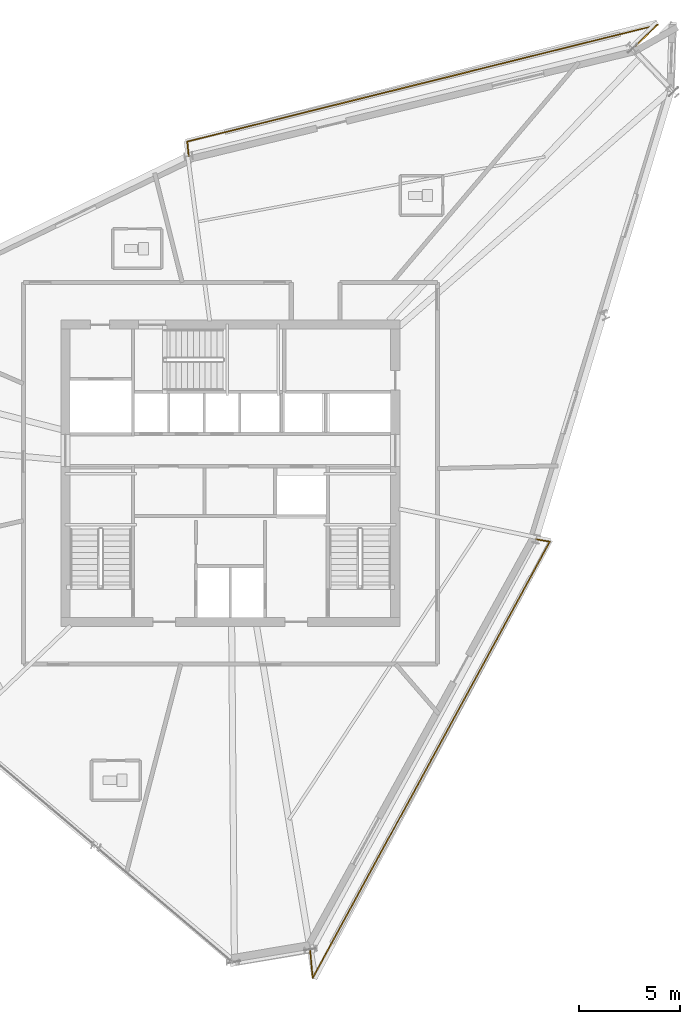
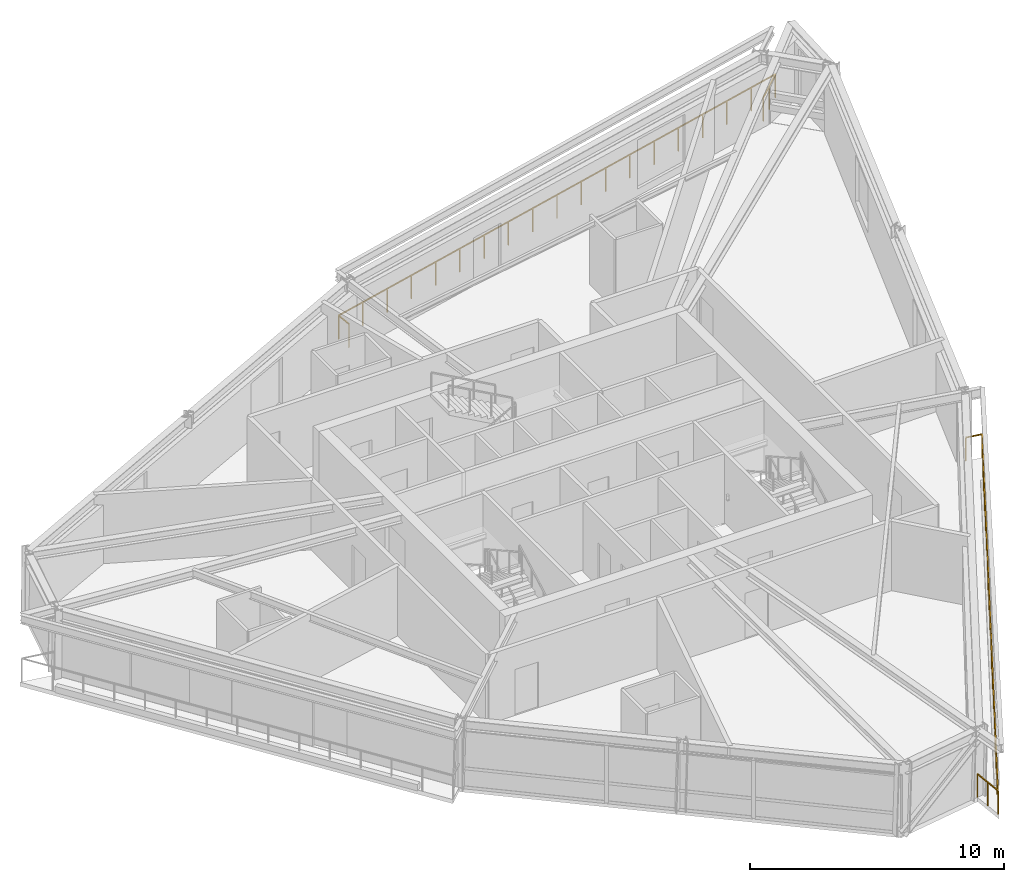
# One storey, part 14 of 15: 2 railings.
"""IFC4 building model written with IfcOpenShell, lengths in metres."""

import ifcopenshell
import ifcopenshell.guid

model = None  # the IFC model being written
_history = None  # IfcOwnerHistory: only IFC2X3 demands one
_inside = {}  # id of a spatial element -> (the spatial element, [elements in it])
_under = {}  # id of a project, library or spatial element -> (it, [spatial elements below it])
_declared = {}  # id of a project -> (the project, [libraries it declares])
_typed = {}  # id of a type object -> (the type object, [elements of that type])
_made_of = {}  # id of a material, layer set ... -> (it, [elements and type objects made of it])


def new_model(schema):
    """Start an empty IFC model of exactly this schema.

    Asked for "IFC4X3", IfcOpenShell would pick the latest addendum, in which some entities
    have other attributes; the version numbers below select the first issue.
    IFC2X3 requires an IfcOwnerHistory on every rooted entity: one is made here for all.
    """
    global model, _history
    if schema == "IFC4X3":
        model = ifcopenshell.file(schema_version=(4, 3, 0, 0))
    else:
        model = ifcopenshell.file(schema=schema)
    _inside.clear()
    _under.clear()
    _declared.clear()
    _typed.clear()
    _made_of.clear()
    _history = None
    if model.schema == "IFC2X3":
        org = make("IfcOrganization", Name="unknown")
        user = make(
            "IfcPersonAndOrganization",
            ThePerson=make("IfcPerson", FamilyName="unknown"),
            TheOrganization=org,
        )
        app = make(
            "IfcApplication",
            ApplicationDeveloper=org,
            Version="unknown",
            ApplicationFullName="unknown",
            ApplicationIdentifier="unknown",
        )
        _history = make(
            "IfcOwnerHistory",
            OwningUser=user,
            OwningApplication=app,
            ChangeAction="ADDED",
            CreationDate=0,
        )
    return model


def make(cls, **values):
    """One entity of the class cls with the attributes given. An attribute that is None is left unset."""
    return model.create_entity(
        cls, **{name: value for name, value in values.items() if value is not None}
    )


def rooted(cls, **values):
    """An entity with a GlobalId (a new one), such as an element, a storey or a relation."""
    return make(cls, GlobalId=ifcopenshell.guid.new(), OwnerHistory=_history, **values)


def si_unit(unit_type, name, prefix=None):
    """IfcSIUnit, for example si_unit("LENGTHUNIT", "METRE", prefix="MILLI")."""
    return make("IfcSIUnit", UnitType=unit_type, Prefix=prefix, Name=name)


def assignment(units):
    """IfcUnitAssignment: the units of a project."""
    return None if units is None else make("IfcUnitAssignment", Units=units)


def point(xyz):
    """IfcCartesianPoint."""
    return None if xyz is None else make("IfcCartesianPoint", Coordinates=xyz)


def direction(xyz):
    """IfcDirection."""
    return None if xyz is None else make("IfcDirection", DirectionRatios=xyz)


def frame(location, z_axis=None, x_axis=None):
    """IfcAxis2Placement3D, a coordinate frame: its origin and axes. An axis left out is left unset."""
    return make(
        "IfcAxis2Placement3D",
        Location=point(location),
        Axis=direction(z_axis),
        RefDirection=direction(x_axis),
    )


def frame_2d(location, x_axis=None):
    """IfcAxis2Placement2D, a coordinate frame in the plane: its origin and x axis."""
    return make(
        "IfcAxis2Placement2D", Location=point(location), RefDirection=direction(x_axis)
    )


def origin():
    """The frame at (0, 0, 0) with its axes left unset."""
    return frame((0.0, 0.0, 0.0))


def origin_2d():
    """The frame at (0, 0) in the plane with its x axis left unset."""
    return frame_2d((0.0, 0.0))


def place(relative_to, where):
    """IfcLocalPlacement: puts the frame where relative to a parent placement (None: the world)."""
    return make(
        "IfcLocalPlacement", PlacementRelTo=relative_to, RelativePlacement=where
    )


def context(
    kind, dimensions, precision=None, world=None, true_north=None, identifier=None
):
    """IfcGeometricRepresentationContext, for example the 3D "Model" context."""
    return make(
        "IfcGeometricRepresentationContext",
        ContextIdentifier=identifier,
        ContextType=kind,
        CoordinateSpaceDimension=dimensions,
        Precision=precision,
        WorldCoordinateSystem=world,
        TrueNorth=true_north,
    )


def subcontext(parent, identifier, kind, view, scale=None):
    """IfcGeometricRepresentationSubContext, for example "Body" below "Model"."""
    return make(
        "IfcGeometricRepresentationSubContext",
        ContextIdentifier=identifier,
        ContextType=kind,
        ParentContext=parent,
        TargetScale=scale,
        TargetView=view,
    )


def project(units=None, contexts=None):
    """IfcProject with its units and contexts."""
    return rooted(
        "IfcProject",
        Name="project",
        RepresentationContexts=contexts,
        UnitsInContext=assignment(units),
    )


def spatial(cls, under=None, at=None, **own):
    """A site, building, storey or space (cls), placed at a placement, below another one or the project."""
    s = rooted(cls, ObjectPlacement=at, **own)
    if under is not None:
        _under.setdefault(under.id(), (under, []))[1].append(s)
    return s


def profile(cls, at=None, kind="AREA", **sizes):
    """A parametric profile (cls). Its sizes go by their IFC names, for example OverallWidth=200.0."""
    return make(cls, ProfileType=kind, Position=at, **sizes)


def rectangle(**sizes):
    """IfcRectangleProfileDef."""
    return profile("IfcRectangleProfileDef", **sizes)


def extrude(swept, where, along, depth):
    """IfcExtrudedAreaSolid: the profile swept, set in the frame where, extruded along a direction by depth."""
    return make(
        "IfcExtrudedAreaSolid",
        SweptArea=swept,
        Position=where,
        ExtrudedDirection=direction(along),
        Depth=depth,
    )


def shape(context_of_items, identifier, shape_type, items):
    """IfcShapeRepresentation: the items that make up one representation, for example the "Body"."""
    return make(
        "IfcShapeRepresentation",
        ContextOfItems=context_of_items,
        RepresentationIdentifier=identifier,
        RepresentationType=shape_type,
        Items=items,
    )


def material(Name=None, Category=None):
    """IfcMaterial."""
    return make("IfcMaterial", Name=Name, Category=Category)


def made_of(thing, what):
    """Note that an element or type object is made of a material, layer set ...; save() writes the relation."""
    if what is not None:
        _made_of.setdefault(what.id(), (what, []))[1].append(thing)
    return thing


def type_object(cls, material=None, **own):
    """A type object (cls), such as IfcWallType, which elements share."""
    return made_of(rooted(cls, **own), material)


def element(
    cls,
    number,
    at=None,
    inside=None,
    cuts=None,
    type_object=None,
    material=None,
    context=None,
    identifier="Body",
    shape_type=None,
    held_by="IfcProductDefinitionShape",
    body=None,
    shapes=None,
    **own,
):
    """One element of the class cls, such as IfcWall. Its Tag is "e" and its number.

    at: its placement. inside: the storey or other place that contains it. cuts: it is an
    opening in that element (IfcRelVoidsElement). A single representation is given by context,
    identifier, shape_type and body (its items); several are given by shapes. held_by: the class
    of the entity that holds the representations. save() writes the other relations.
    """
    e = rooted(cls, Tag="e%d" % number, ObjectPlacement=at, **own)
    if body is not None:
        shapes = [shape(context, identifier, shape_type, body)]
    if shapes is not None:
        e.Representation = make(held_by, Representations=shapes)
    if inside is not None:
        _inside.setdefault(inside.id(), (inside, []))[1].append(e)
    if cuts is not None:
        rooted(
            "IfcRelVoidsElement", RelatingBuildingElement=cuts, RelatedOpeningElement=e
        )
    if type_object is not None:
        _typed.setdefault(type_object.id(), (type_object, []))[1].append(e)
    return made_of(e, material)


def aggregate(whole, parts):
    """IfcRelAggregates: a whole, such as a stair, and the parts it consists of."""
    return rooted("IfcRelAggregates", RelatingObject=whole, RelatedObjects=parts)


def save(model, path):
    """Write the relations noted so far, then the file.

    IfcRelAggregates (storeys below a building ...), IfcRelContainedInSpatialStructure (elements
    in a storey), IfcRelDefinesByType, IfcRelAssociatesMaterial and IfcRelDeclares: one each for
    every whole, place, type object, material and project.
    """
    for whole, parts in _under.values():
        aggregate(whole, parts)
    for where, things in _inside.values():
        rooted(
            "IfcRelContainedInSpatialStructure",
            RelatedElements=things,
            RelatingStructure=where,
        )
    for kind, things in _typed.values():
        rooted("IfcRelDefinesByType", RelatedObjects=things, RelatingType=kind)
    for what, things in _made_of.values():
        rooted("IfcRelAssociatesMaterial", RelatedObjects=things, RelatingMaterial=what)
    for by, libraries in _declared.values():
        rooted("IfcRelDeclares", RelatingContext=by, RelatedDefinitions=libraries)
    model.write(path)


model = new_model("IFC4")

# Units and contexts
model_context = context("Model", 3, precision=1e-05, world=origin(), true_north=direction((0.0, 1.0)))
body_context = subcontext(model_context, "Body", "Model", "MODEL_VIEW")
ifc_project = project(units=[si_unit("LENGTHUNIT", "METRE"), si_unit("AREAUNIT", "SQUARE_METRE"), si_unit("VOLUMEUNIT", "CUBIC_METRE"), si_unit("PLANEANGLEUNIT", "RADIAN"), si_unit("MASSUNIT", "GRAM", prefix="KILO")], contexts=[model_context])

# Site, building, storey
site_placement = place(None, origin())
site = spatial("IfcSite", under=ifc_project, at=site_placement, CompositionType="ELEMENT")
building_placement = place(site_placement, origin())
building = spatial("IfcBuilding", under=site, at=building_placement, Name="Olszyna Solenne Hotel", CompositionType="ELEMENT")
storey_placement = place(building_placement, frame((0.0, 0.0, 213.14990234375)))
storey = spatial("IfcBuildingStorey", under=building, at=storey_placement, Name="L56", CompositionType="ELEMENT", Elevation=213.14990234375)

# Railings
ifc_material = material(Name="Anodised bronze aluminium", Category="aluminium")
railing_type = type_object("IfcRailingType", Name="GR-110", PredefinedType="BALUSTRADE", material=ifc_material)
railing_1_placement = place(storey_placement, frame((57.824462890625, 47.522705078125, 0.0)))
element("IfcRailing", 1, at=railing_1_placement, inside=storey, type_object=railing_type, Name="Loggia balcony balustrade guard GR-L56-LG1", PredefinedType="BALUSTRADE", context=body_context, shape_type="SweptSolid", body=[
    extrude(rectangle(XDim=0.048095703125, YDim=0.048095703125, at=origin_2d()), frame((0.0, 0.0, 1.1259765625), z_axis=(0.723928575401, 0.68987492904, 0.0), x_axis=(-0.68987492904, 0.723928575401, 0.0)), (0.0, 0.0, 1.0), 1.69189453125),
    extrude(rectangle(XDim=0.048095703125, YDim=0.048095703125, at=origin_2d()), frame((1.224853515625, 1.167236328125, 1.1259765625), z_axis=(-0.970575242171, -0.240798046681, 0.0), x_axis=(0.240798046681, -0.970575242171, 0.0)), (0.0, 0.0, 1.0), 23.874755859375),
    extrude(rectangle(XDim=0.048095703125, YDim=0.048095703125, at=origin_2d()), frame((-21.947509765625, -4.581787109375, 1.1259765625), z_axis=(0.093298049386, -0.995638224447, 0.0), x_axis=(0.995638224447, 0.093298049386, 0.0)), (0.0, 0.0, 1.0), 0.709228515625),
    extrude(rectangle(XDim=0.0419921875, YDim=0.0419921875, at=origin_2d()), origin(), (0.0, 0.0, 1.0), 1.101806640625),
    extrude(rectangle(XDim=0.0419921875, YDim=0.0419921875, at=origin_2d()), frame((0.6123046875, 0.58349609375, 0.0)), (0.0, 0.0, 1.0), 1.101806640625),
    extrude(rectangle(XDim=0.0419921875, YDim=0.0419921875, at=origin_2d()), frame((1.224853515625, 1.167236328125, 0.0)), (0.0, 0.0, 1.0), 1.101806640625),
    extrude(rectangle(XDim=0.0419921875, YDim=0.0419921875, at=origin_2d()), frame((-0.0625, 0.847900390625, 0.0)), (0.0, 0.0, 1.0), 1.101806640625),
    extrude(rectangle(XDim=0.0419921875, YDim=0.0419921875, at=origin_2d()), frame((-1.349853515625, 0.528564453125, 0.0)), (0.0, 0.0, 1.0), 1.101806640625),
    extrude(rectangle(XDim=0.0419921875, YDim=0.0419921875, at=origin_2d()), frame((-2.63720703125, 0.208984375, 0.0)), (0.0, 0.0, 1.0), 1.101806640625),
    extrude(rectangle(XDim=0.0419921875, YDim=0.0419921875, at=origin_2d()), frame((-3.924560546875, -0.1103515625, 0.0)), (0.0, 0.0, 1.0), 1.101806640625),
    extrude(rectangle(XDim=0.0419921875, YDim=0.0419921875, at=origin_2d()), frame((-5.2119140625, -0.4296875, 0.0)), (0.0, 0.0, 1.0), 1.101806640625),
    extrude(rectangle(XDim=0.0419921875, YDim=0.0419921875, at=origin_2d()), frame((-6.499267578125, -0.7490234375, 0.0)), (0.0, 0.0, 1.0), 1.101806640625),
    extrude(rectangle(XDim=0.0419921875, YDim=0.0419921875, at=origin_2d()), frame((-7.78662109375, -1.068603515625, 0.0)), (0.0, 0.0, 1.0), 1.101806640625),
    extrude(rectangle(XDim=0.0419921875, YDim=0.0419921875, at=origin_2d()), frame((-9.073974609375, -1.387939453125, 0.0)), (0.0, 0.0, 1.0), 1.101806640625),
    extrude(rectangle(XDim=0.0419921875, YDim=0.0419921875, at=origin_2d()), frame((-10.361328125, -1.707275390625, 0.0)), (0.0, 0.0, 1.0), 1.101806640625),
    extrude(rectangle(XDim=0.0419921875, YDim=0.0419921875, at=origin_2d()), frame((-11.648681640625, -2.026611328125, 0.0)), (0.0, 0.0, 1.0), 1.101806640625),
    extrude(rectangle(XDim=0.0419921875, YDim=0.0419921875, at=origin_2d()), frame((-12.93603515625, -2.345947265625, 0.0)), (0.0, 0.0, 1.0), 1.101806640625),
    extrude(rectangle(XDim=0.0419921875, YDim=0.0419921875, at=origin_2d()), frame((-14.223388671875, -2.66552734375, 0.0)), (0.0, 0.0, 1.0), 1.101806640625),
    extrude(rectangle(XDim=0.0419921875, YDim=0.0419921875, at=origin_2d()), frame((-15.5107421875, -2.98486328125, 0.0)), (0.0, 0.0, 1.0), 1.101806640625),
    extrude(rectangle(XDim=0.0419921875, YDim=0.0419921875, at=origin_2d()), frame((-16.798095703125, -3.30419921875, 0.0)), (0.0, 0.0, 1.0), 1.101806640625),
    extrude(rectangle(XDim=0.0419921875, YDim=0.0419921875, at=origin_2d()), frame((-18.08544921875, -3.62353515625, 0.0)), (0.0, 0.0, 1.0), 1.101806640625),
    extrude(rectangle(XDim=0.0419921875, YDim=0.0419921875, at=origin_2d()), frame((-19.372802734375, -3.943115234375, 0.0)), (0.0, 0.0, 1.0), 1.101806640625),
    extrude(rectangle(XDim=0.0419921875, YDim=0.0419921875, at=origin_2d()), frame((-20.66015625, -4.262451171875, 0.0)), (0.0, 0.0, 1.0), 1.101806640625),
    extrude(rectangle(XDim=0.0419921875, YDim=0.0419921875, at=origin_2d()), frame((-21.947509765625, -4.581787109375, 0.0)), (0.0, 0.0, 1.0), 1.101806640625),
    extrude(rectangle(XDim=0.0419921875, YDim=0.0419921875, at=origin_2d()), frame((-21.88134765625, -5.287841796875, 0.0)), (0.0, 0.0, 1.0), 1.101806640625),
])
railing_2_placement = place(storey_placement, frame((41.92333984375, 3.143310546875, 0.0)))
element("IfcRailing", 2, at=railing_2_placement, inside=storey, type_object=railing_type, Name="Loggia balcony balustrade guard GR-L56-LG3", PredefinedType="BALUSTRADE", context=body_context, shape_type="SweptSolid", body=[
    extrude(rectangle(XDim=0.048095703125, YDim=0.048095703125, at=origin_2d()), frame((0.0, 0.0, 1.1259765625), z_axis=(0.093452667571, -0.995623723564, 0.0), x_axis=(0.995623723564, 0.093452667571, 0.0)), (0.0, 0.0, 1.0), 1.41845703125),
    extrude(rectangle(XDim=0.048095703125, YDim=0.048095703125, at=origin_2d()), frame((0.132568359375, -1.412353515625, 1.1259765625), z_axis=(0.477649130893, 0.878550685935, 0.0), x_axis=(-0.878550685935, 0.477649130893, 0.0)), (0.0, 0.0, 1.0), 24.4658203125),
    extrude(rectangle(XDim=0.048095703125, YDim=0.048095703125, at=origin_2d()), frame((11.818603515625, 20.08203125, 1.1259765625), z_axis=(-0.98408442222, 0.177701575523, 0.0), x_axis=(-0.177701575523, -0.98408442222, 0.0)), (0.0, 0.0, 1.0), 0.689697265625),
    extrude(rectangle(XDim=0.0419921875, YDim=0.0419921875, at=origin_2d()), origin(), (0.0, 0.0, 1.0), 1.101806640625),
    extrude(rectangle(XDim=0.0419921875, YDim=0.0419921875, at=origin_2d()), frame((0.06640625, -0.7060546875, 0.0)), (0.0, 0.0, 1.0), 1.101806640625),
    extrude(rectangle(XDim=0.0419921875, YDim=0.0419921875, at=origin_2d()), frame((0.132568359375, -1.412353515625, 0.0)), (0.0, 0.0, 1.0), 1.101806640625),
    extrude(rectangle(XDim=0.0419921875, YDim=0.0419921875, at=origin_2d()), frame((0.78173828125, -0.21826171875, 0.0)), (0.0, 0.0, 1.0), 1.101806640625),
    extrude(rectangle(XDim=0.0419921875, YDim=0.0419921875, at=origin_2d()), frame((1.430908203125, 0.975830078125, 0.0)), (0.0, 0.0, 1.0), 1.101806640625),
    extrude(rectangle(XDim=0.0419921875, YDim=0.0419921875, at=origin_2d()), frame((2.080322265625, 2.169921875, 0.0)), (0.0, 0.0, 1.0), 1.101806640625),
    extrude(rectangle(XDim=0.0419921875, YDim=0.0419921875, at=origin_2d()), frame((2.7294921875, 3.3642578125, 0.0)), (0.0, 0.0, 1.0), 1.101806640625),
    extrude(rectangle(XDim=0.0419921875, YDim=0.0419921875, at=origin_2d()), frame((3.378662109375, 4.558349609375, 0.0)), (0.0, 0.0, 1.0), 1.101806640625),
    extrude(rectangle(XDim=0.0419921875, YDim=0.0419921875, at=origin_2d()), frame((4.02783203125, 5.75244140625, 0.0)), (0.0, 0.0, 1.0), 1.101806640625),
    extrude(rectangle(XDim=0.0419921875, YDim=0.0419921875, at=origin_2d()), frame((4.67724609375, 6.946533203125, 0.0)), (0.0, 0.0, 1.0), 1.101806640625),
    extrude(rectangle(XDim=0.0419921875, YDim=0.0419921875, at=origin_2d()), frame((5.326416015625, 8.140625, 0.0)), (0.0, 0.0, 1.0), 1.101806640625),
    extrude(rectangle(XDim=0.0419921875, YDim=0.0419921875, at=origin_2d()), frame((5.9755859375, 9.3349609375, 0.0)), (0.0, 0.0, 1.0), 1.101806640625),
    extrude(rectangle(XDim=0.0419921875, YDim=0.0419921875, at=origin_2d()), frame((6.624755859375, 10.529052734375, 0.0)), (0.0, 0.0, 1.0), 1.101806640625),
    extrude(rectangle(XDim=0.0419921875, YDim=0.0419921875, at=origin_2d()), frame((7.27392578125, 11.72314453125, 0.0)), (0.0, 0.0, 1.0), 1.101806640625),
    extrude(rectangle(XDim=0.0419921875, YDim=0.0419921875, at=origin_2d()), frame((7.92333984375, 12.917236328125, 0.0)), (0.0, 0.0, 1.0), 1.101806640625),
    extrude(rectangle(XDim=0.0419921875, YDim=0.0419921875, at=origin_2d()), frame((8.572509765625, 14.111328125, 0.0)), (0.0, 0.0, 1.0), 1.101806640625),
    extrude(rectangle(XDim=0.0419921875, YDim=0.0419921875, at=origin_2d()), frame((9.2216796875, 15.305419921875, 0.0)), (0.0, 0.0, 1.0), 1.101806640625),
    extrude(rectangle(XDim=0.0419921875, YDim=0.0419921875, at=origin_2d()), frame((9.870849609375, 16.49951171875, 0.0)), (0.0, 0.0, 1.0), 1.101806640625),
    extrude(rectangle(XDim=0.0419921875, YDim=0.0419921875, at=origin_2d()), frame((10.520263671875, 17.69384765625, 0.0)), (0.0, 0.0, 1.0), 1.101806640625),
    extrude(rectangle(XDim=0.0419921875, YDim=0.0419921875, at=origin_2d()), frame((11.16943359375, 18.887939453125, 0.0)), (0.0, 0.0, 1.0), 1.101806640625),
    extrude(rectangle(XDim=0.0419921875, YDim=0.0419921875, at=origin_2d()), frame((11.818603515625, 20.08203125, 0.0)), (0.0, 0.0, 1.0), 1.101806640625),
    extrude(rectangle(XDim=0.0419921875, YDim=0.0419921875, at=origin_2d()), frame((11.139892578125, 20.20458984375, 0.0)), (0.0, 0.0, 1.0), 1.101806640625),
])

save(model, "model.ifc")
